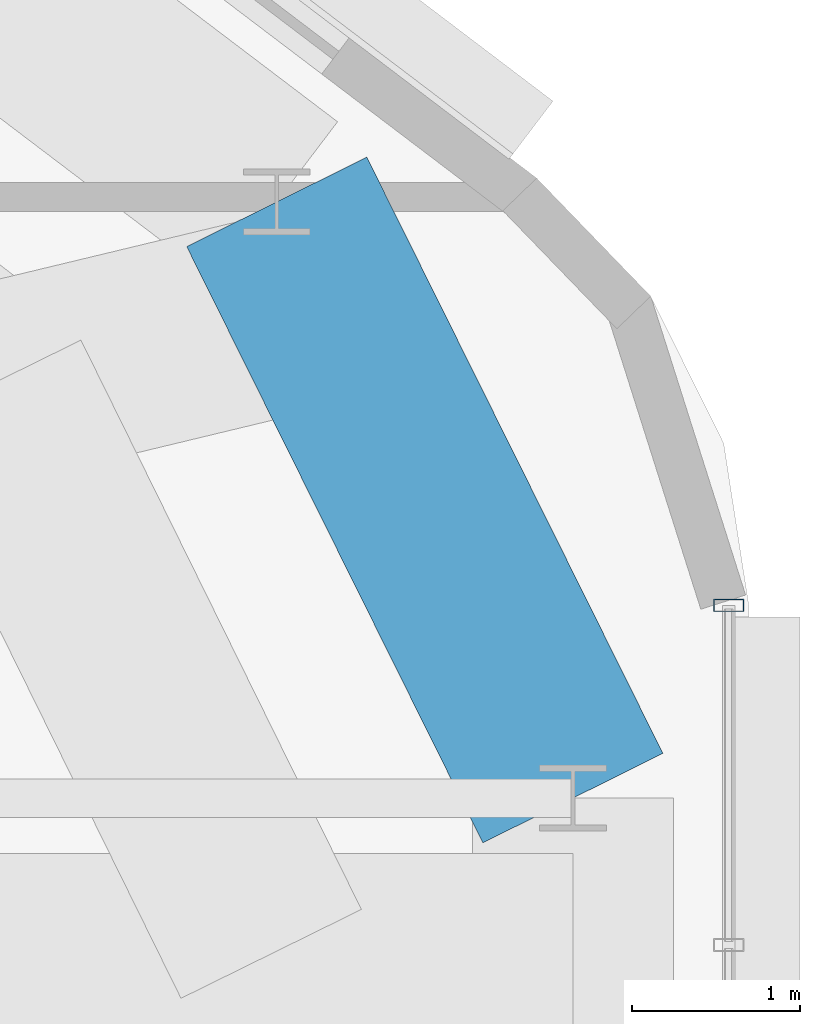
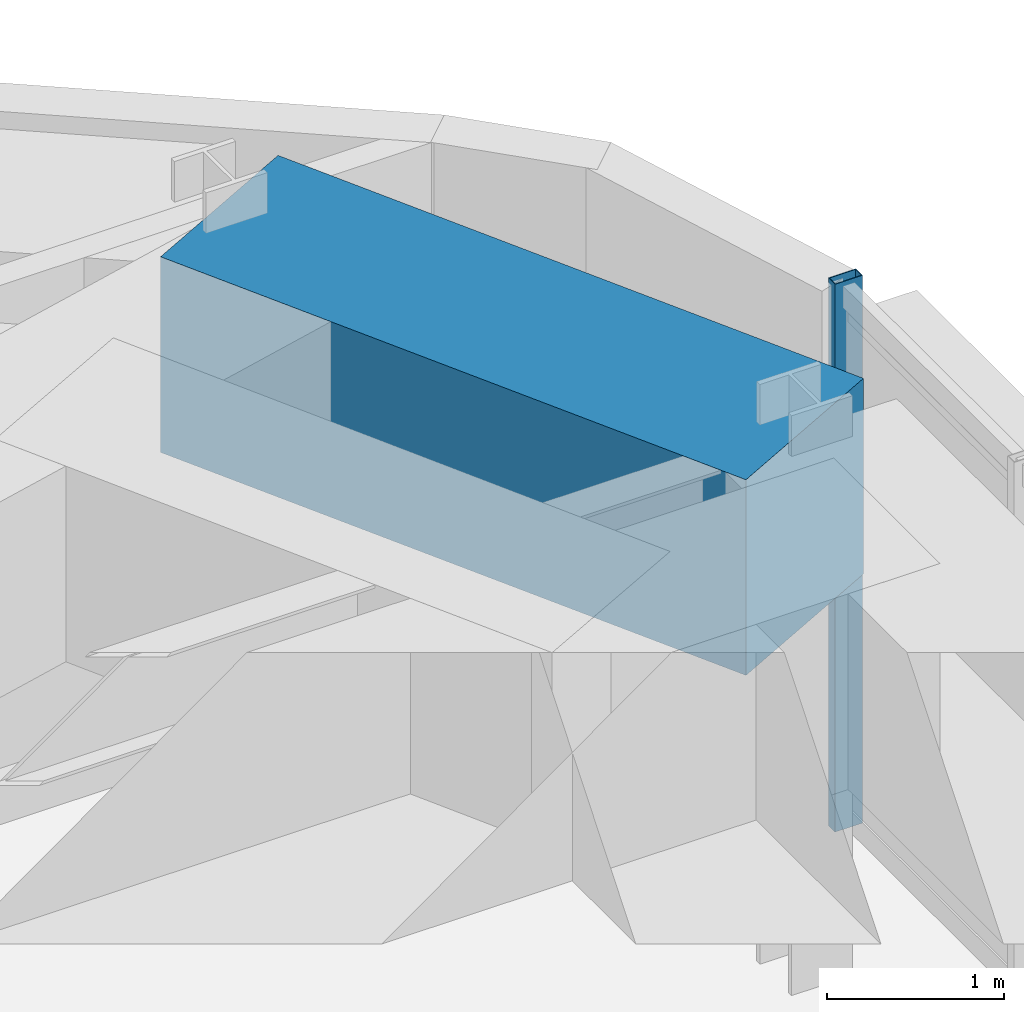
# One storey, part 7 of 12: 1 beam, 1 member, 1 element without a shape of its own.
"""IFC4 building model written with IfcOpenShell, lengths in metres."""

from ifc_helpers import new_model, si_unit, direction, frame, origin, origin_2d, place, context, subcontext, project, spatial, rectangle, hollow_rectangle, extrude, material, material_profile, profile_set, type_object, element, aggregate, save


model = new_model("IFC4")

# Units and contexts
model_context = context("Model", 3, precision=1e-05, world=origin(), true_north=direction((0.0, 1.0)))
body_context = subcontext(model_context, "Body", "Model", "MODEL_VIEW")
ifc_project = project(units=[si_unit("LENGTHUNIT", "METRE"), si_unit("AREAUNIT", "SQUARE_METRE"), si_unit("VOLUMEUNIT", "CUBIC_METRE"), si_unit("PLANEANGLEUNIT", "RADIAN"), si_unit("MASSUNIT", "GRAM", prefix="KILO")], contexts=[model_context])

# Site, building, storey
site_placement = place(None, origin())
site = spatial("IfcSite", under=ifc_project, at=site_placement, CompositionType="ELEMENT")
building_placement = place(site_placement, origin())
building = spatial("IfcBuilding", under=site, at=building_placement, Name="Zulverin Broadcast Headquarters", CompositionType="ELEMENT")
storey_placement = place(building_placement, frame((0.0, 0.0, 325.39990234375)))
storey = spatial("IfcBuildingStorey", under=building, at=storey_placement, Name="C4", CompositionType="ELEMENT", Elevation=325.39990234375)

# Beam
ifc_material_1 = material(Name="Concrete C50/60", Category="concrete")
ifc_material_profile_1 = material_profile(ifc_material_1, rectangle(XDim=1.199951171875, YDim=1.35009765625, at=origin_2d()), Name="Concrete C50/60", Category="concrete")
ifc_profile_set_1 = profile_set([ifc_material_profile_1], Name="Concrete C50/60")
beam_type = type_object("IfcBeamType", Name="BM-TG-CRN-1350", PredefinedType="USERDEFINED", material=ifc_profile_set_1)
beam_placement = place(storey_placement, frame((56.550048828125, 31.613037109375, 3.045166015625), z_axis=(-0.444778166869, 0.89564076631, 0.0), x_axis=(-0.89564076631, -0.444778166869, 0.0)))
element("IfcBeam", 1, at=beam_placement, inside=storey, type_object=beam_type, Name="C4 Perimeter Transfer Ring Girder SP-06", ObjectType="TRANSFER GIRDER", PredefinedType="USERDEFINED", context=body_context, shape_type="SweptSolid", body=[
    extrude(rectangle(XDim=1.199951171875, YDim=1.35009765625, at=origin_2d()), origin(), (0.0, 0.0, 1.0), 3.972412109375),
])

# Curtain wall, member
ifc_material_2 = material(Name="Crown damper-hall structural glass curtain wall", Category="glass")
curtain_wall_type = type_object("IfcCurtainWallType", Name="CW-CRN", PredefinedType="USERDEFINED", material=ifc_material_2)
curtain_wall_placement = place(storey_placement, origin())
curtain_wall = element("IfcCurtainWall", 2, at=curtain_wall_placement, inside=storey, type_object=curtain_wall_type, Name="C4 Unitised Curtain Wall CW-C4-E3", ObjectType="UNITISED CURTAIN WALL", PredefinedType="USERDEFINED")
ifc_material_3 = material(Name="Anodized pale-metal aluminium alloy 6063-T6", Category="aluminium")
ifc_material_profile_2 = material_profile(ifc_material_3, hollow_rectangle(XDim=0.074951171875, YDim=0.179931640625, WallThickness=0.0048828125, at=origin_2d()), Name="Anodized pale-metal aluminium alloy 6063-T6", Category="aluminium")
ifc_profile_set_2 = profile_set([ifc_material_profile_2], Name="Anodized pale-metal aluminium alloy 6063-T6")
member_type = type_object("IfcMemberType", Name="CW-MUL-180", PredefinedType="MULLION", material=ifc_profile_set_2)
member_placement = place(storey_placement, frame((57.47998046875, 32.762939453125, -0.02978515625), z_axis=(0.0, 0.0, 1.0), x_axis=(0.0, 1.0, 0.0)))
member = element("IfcMember", 3, at=member_placement, type_object=member_type, Name="CW-C4-E3 Mullion 07", PredefinedType="MULLION", context=body_context, shape_type="SweptSolid", body=[
    extrude(hollow_rectangle(XDim=0.074951171875, YDim=0.179931640625, WallThickness=0.0048828125, at=origin_2d()), origin(), (0.0, 0.0, 1.0), 3.77978515625),
])
aggregate(curtain_wall, [member])

save(model, "model.ifc")
